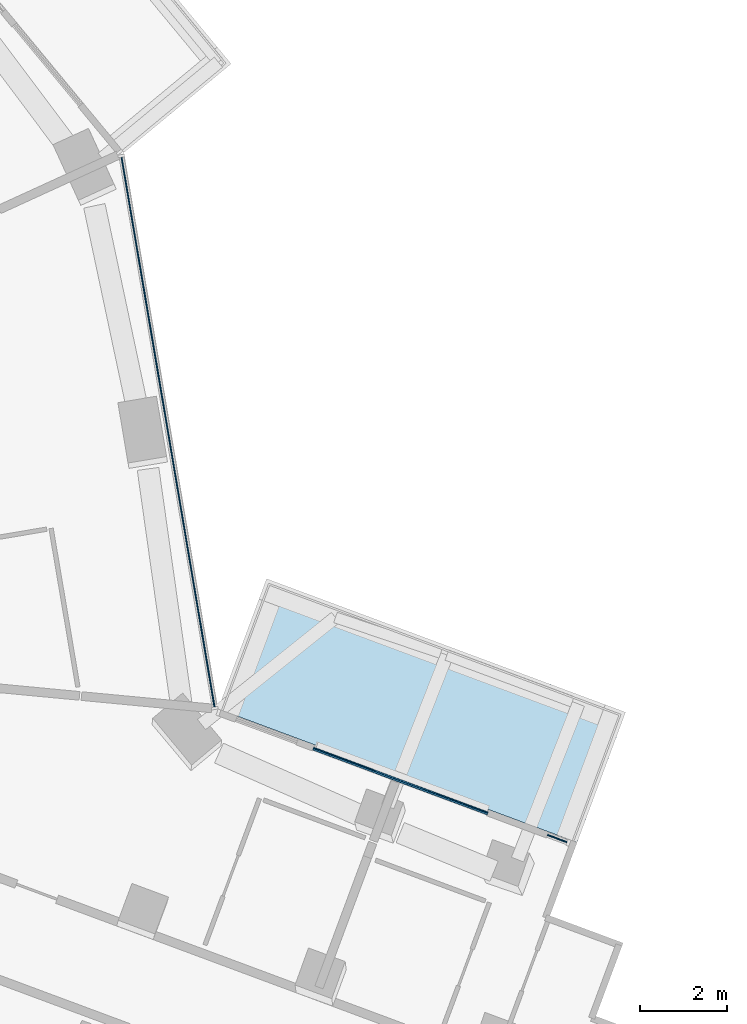
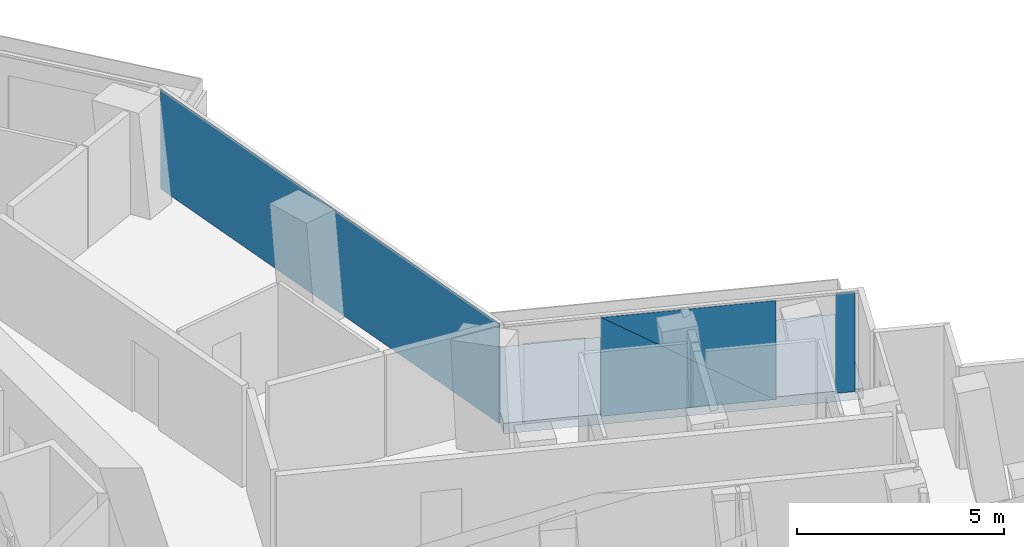
# One storey, part 15 of 27: 4 plates, 1 slab, 2 elements without a shape of their own.
"""IFC4 building model written with IfcOpenShell, lengths in metres."""

from ifc_helpers import new_model, si_unit, direction, frame, origin, origin_2d, place, context, subcontext, project, spatial, polyline, rectangle, outline, extrude, material, layer, layer_set, type_object, element, aggregate, save


model = new_model("IFC4")

# Units and contexts
model_context = context("Model", 3, precision=1e-05, world=origin(), true_north=direction((0.0, 1.0)))
body_context = subcontext(model_context, "Body", "Model", "MODEL_VIEW")
ifc_project = project(units=[si_unit("LENGTHUNIT", "METRE"), si_unit("AREAUNIT", "SQUARE_METRE"), si_unit("VOLUMEUNIT", "CUBIC_METRE"), si_unit("PLANEANGLEUNIT", "RADIAN"), si_unit("MASSUNIT", "GRAM", prefix="KILO")], contexts=[model_context])

# Site, building, storey
site_placement = place(None, origin())
site = spatial("IfcSite", under=ifc_project, at=site_placement, CompositionType="ELEMENT")
building_placement = place(site_placement, origin())
building = spatial("IfcBuilding", under=site, at=building_placement, Name="Verdalira Terraces Hotel", CompositionType="ELEMENT")
storey_placement = place(building_placement, frame((0.0, 0.0, 71.5)))
storey = spatial("IfcBuildingStorey", under=building, at=storey_placement, Name="L16", CompositionType="ELEMENT", Elevation=71.5)

# Slab
ifc_material_1 = material(Name="Precast concrete C40/50", Category="concrete")
ifc_layer_1 = layer(ifc_material_1, 0.31005859375)
ifc_layer_set_1 = layer_set([ifc_layer_1], Name="Balcony deck 310")
slab_type = type_object("IfcSlabType", Name="Balcony deck 310", PredefinedType="FLOOR", material=ifc_layer_set_1)
slab_placement = place(storey_placement, frame((0.0, 0.0, -0.310059)))
element("IfcSlab", 1, at=slab_placement, inside=storey, type_object=slab_type, Name="Balcony deck", PredefinedType="FLOOR", context=body_context, shape_type="SweptSolid", body=[
    extrude(outline(polyline([(26.118164, 0.635742), (25.002686, -2.363525), (33.269287, -5.437744), (34.384766, -2.438477), (26.118164, 0.635742)])), origin(), (0.0, 0.0, 1.0), 0.310059),
])

# Curtain wall, plate
ifc_material_2 = material(Name="Clear glass", Category="glass")
ifc_layer_2 = layer(ifc_material_2, 0.14990234375)
ifc_layer_set_2 = layer_set([ifc_layer_2], Name="CW1 curtain wall")
curtain_wall_type_1 = type_object("IfcCurtainWallType", Name="CW1 curtain wall", PredefinedType="NOTDEFINED", material=ifc_layer_set_2)
curtain_wall_1_placement = place(storey_placement, origin())
curtain_wall_1 = element("IfcCurtainWall", 2, at=curtain_wall_1_placement, inside=storey, type_object=curtain_wall_type_1, Name="CW1 curtain wall L16 edge 39", PredefinedType="NOTDEFINED")
ifc_material_3 = material(Name="Clear glass", Category="glass")
ifc_layer_3 = layer(ifc_material_3, 0.028076171875)
ifc_layer_set_3 = layer_set([ifc_layer_3], Name="CW1 glass unit 28")
plate_type_1 = type_object("IfcPlateType", Name="CW1 glass unit 28", PredefinedType="CURTAIN_PANEL", material=ifc_layer_set_3)
plate_1_placement = place(storey_placement, frame((23.8479, 4.013184, 0.0), z_axis=(0.0, 0.0, 1.0), x_axis=(-0.166768747, 0.985996037, 0.0)))
plate_1 = element("IfcPlate", 3, at=plate_1_placement, type_object=plate_type_1, Name="CW1 glass unit", PredefinedType="CURTAIN_PANEL", context=body_context, shape_type="SweptSolid", body=[
    extrude(rectangle(XDim=12.839844, YDim=0.028076, at=origin_2d()), origin(), (0.0, 0.0, 1.0), 2.935059),
])
aggregate(curtain_wall_1, [plate_1])

# Curtain wall, plates
ifc_material_4 = material(Name="Clear glass", Category="glass")
ifc_layer_4 = layer(ifc_material_4, 0.14990234375)
ifc_layer_set_4 = layer_set([ifc_layer_4], Name="CW2 curtain wall")
curtain_wall_type_2 = type_object("IfcCurtainWallType", Name="CW2 curtain wall", PredefinedType="NOTDEFINED", material=ifc_layer_set_4)
curtain_wall_2_placement = place(storey_placement, origin())
curtain_wall_2 = element("IfcCurtainWall", 4, at=curtain_wall_2_placement, inside=storey, type_object=curtain_wall_type_2, Name="CW2 curtain wall L16 edge 38", PredefinedType="NOTDEFINED")
ifc_material_5 = material(Name="Clear glass", Category="glass")
ifc_layer_5 = layer(ifc_material_5, 0.031982421875)
ifc_layer_set_5 = layer_set([ifc_layer_5], Name="CW2 glass unit 32")
plate_type_2 = type_object("IfcPlateType", Name="CW2 glass unit 32", PredefinedType="CURTAIN_PANEL", material=ifc_layer_set_5)
plate_2_placement = place(storey_placement, frame((32.812012, -5.347656, 0.0), z_axis=(0.0, 0.0, 1.0), x_axis=(-0.937281989, 0.348572047, 0.0)))
plate_2 = element("IfcPlate", 5, at=plate_2_placement, type_object=plate_type_2, Name="CW2 glass unit", PredefinedType="CURTAIN_PANEL", context=body_context, shape_type="SweptSolid", body=[
    extrude(rectangle(XDim=0.47998, YDim=0.031982, at=origin_2d()), origin(), (0.0, 0.0, 1.0), 2.935059),
])
plate_3_placement = place(storey_placement, frame((29.199951, -4.021484, 1.467529), z_axis=(0.348572047, 0.937281989, 0.0), x_axis=(-0.937281989, 0.348572047, 0.0)))
plate_3 = element("IfcPlate", 6, at=plate_3_placement, type_object=plate_type_2, Name="CW2 glass unit", PredefinedType="CURTAIN_PANEL", context=body_context, shape_type="SweptSolid", body=[
    extrude(outline(polyline([(-2.14209, -1.467529), (2.14209, -1.467529), (2.14209, 1.467529), (-2.14209, -1.467529)])), origin(), (0.0, 0.0, 1.0), 0.031982),
])
plate_4_placement = place(storey_placement, frame((29.188477, -4.05249, 1.467529), z_axis=(0.348572047, 0.937281989, 0.0), x_axis=(-0.937281989, 0.348572047, 0.0)))
plate_4 = element("IfcPlate", 7, at=plate_4_placement, type_object=plate_type_2, Name="CW2 glass unit", PredefinedType="CURTAIN_PANEL", context=body_context, shape_type="SweptSolid", body=[
    extrude(outline(polyline([(-2.14209, -1.467529), (2.14209, 1.467529), (-2.14209, 1.467529), (-2.14209, -1.467529)])), origin(), (0.0, 0.0, 1.0), 0.031982),
])
aggregate(curtain_wall_2, [plate_2, plate_3, plate_4])

save(model, "model.ifc")
